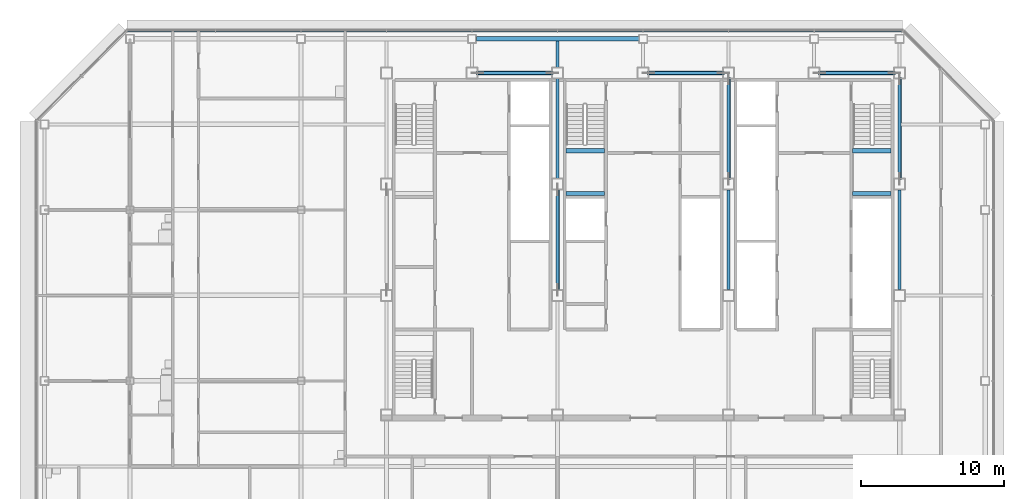
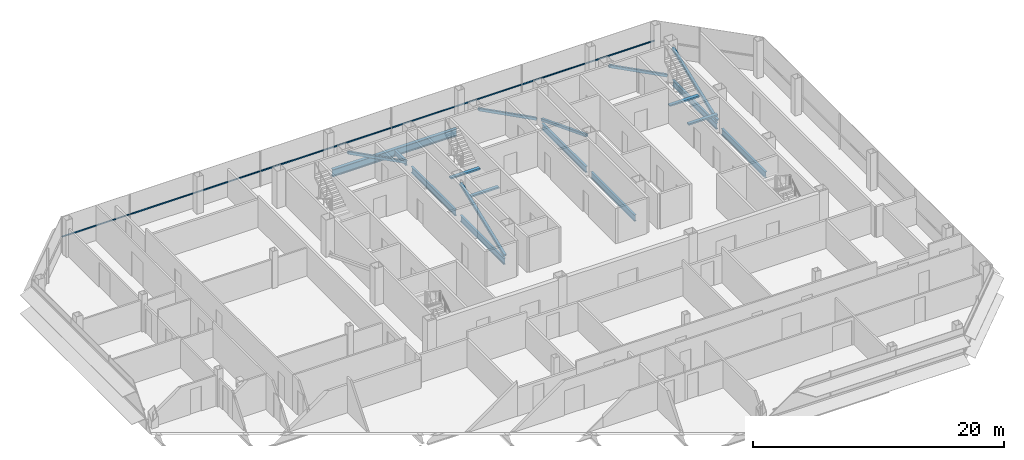
# One storey, part 14 of 27: 12 beams, 7 members, 1 element without a shape of its own.
"""IFC4 building model written with IfcOpenShell, lengths in metres."""

from ifc_helpers import new_model, si_unit, direction, frame, origin, origin_2d, place, context, subcontext, project, spatial, rectangle, hollow_rectangle, i_section, extrude, material, material_profile, profile_set, type_object, element, aggregate, save


model = new_model("IFC4")

# Units and contexts
model_context = context("Model", 3, precision=1e-05, world=origin(), true_north=direction((0.0, 1.0)))
body_context = subcontext(model_context, "Body", "Model", "MODEL_VIEW")
ifc_project = project(units=[si_unit("LENGTHUNIT", "METRE"), si_unit("AREAUNIT", "SQUARE_METRE"), si_unit("VOLUMEUNIT", "CUBIC_METRE"), si_unit("PLANEANGLEUNIT", "RADIAN"), si_unit("MASSUNIT", "GRAM", prefix="KILO")], contexts=[model_context])

# Site, building, storey
site_placement = place(None, origin())
site = spatial("IfcSite", under=ifc_project, at=site_placement, CompositionType="ELEMENT")
building_placement = place(site_placement, origin())
building = spatial("IfcBuilding", under=site, at=building_placement, Name="Sorahane Residences", CompositionType="ELEMENT")
storey_placement = place(building_placement, frame((0.0, 0.0, 294.39990234375)))
storey = spatial("IfcBuildingStorey", under=building, at=storey_placement, Name="L69", CompositionType="ELEMENT", Elevation=294.39990234375)

# Members
ifc_material_1 = material(Name="Steel Q355B", Category="steel")
ifc_material_profile_1 = material_profile(ifc_material_1, hollow_rectangle(XDim=0.25, YDim=0.25, WallThickness=0.013916015625, InnerFilletRadius=0.007080078125, OuterFilletRadius=0.02099609375, at=origin_2d()), Name="RHS 250x250x14")
ifc_profile_set_1 = profile_set([ifc_material_profile_1], Name="Steel Q355B")
member_type_1 = type_object("IfcMemberType", Name="Core brace RHS 250x250x14 Q355B", PredefinedType="BRACE", material=ifc_profile_set_1)
for number, where, z_axis, x_axis, name in (
    (1, (17.634765625, 45.60009765625, 0.10693359375), (-0.886099769192, 0.0, 0.46349455125), (0.0, -1.0, 0.0), "Core brace L69 y45.6-2"),
    (2, (29.634765625, 45.60009765625, 0.10693359375), (-0.886099769192, 0.0, 0.46349455125), (0.0, -1.0, 0.0), "Core brace L69 y45.6-4"),
    (3, (41.634765625, 45.60009765625, 0.10693359375), (-0.886099769192, 0.0, 0.46349455125), (0.0, -1.0, 0.0), "Core brace L69 y45.6-6"),
):
    element("IfcMember", number, at=place(storey_placement, frame(where, z_axis=z_axis, x_axis=x_axis)), inside=storey, type_object=member_type_1, Name=name, PredefinedType="BRACE", context=body_context, shape_type="SweptSolid", body=[
        extrude(hollow_rectangle(XDim=0.25, YDim=0.25, WallThickness=0.013916015625, InnerFilletRadius=0.007080078125, OuterFilletRadius=0.02099609375, at=origin_2d()), origin(), (0.0, 0.0, 1.0), 5.94677734375),
    ])
member_1_placement = place(storey_placement, frame((42.0, 38.1728515625, 0.114501953125), z_axis=(0.0, 0.932097872445, 0.362206510411), x_axis=(-1.0, 0.0, 0.0)))
element("IfcMember", 4, at=member_1_placement, inside=storey, type_object=member_type_1, Name="Core brace L69 x42-3", PredefinedType="BRACE", context=body_context, shape_type="SweptSolid", body=[
    extrude(hollow_rectangle(XDim=0.25, YDim=0.25, WallThickness=0.013916015625, InnerFilletRadius=0.007080078125, OuterFilletRadius=0.02099609375, at=origin_2d()), origin(), (0.0, 0.0, 1.0), 7.568115234375),
])
member_2_placement = place(storey_placement, frame((18.0, 30.372802734375, 0.114501953125), z_axis=(0.0, 0.932102104456, 0.362195619617), x_axis=(-1.0, 0.0, 0.0)))
element("IfcMember", 5, at=member_2_placement, inside=storey, type_object=member_type_1, Name="Core brace L69 x18-1", PredefinedType="BRACE", context=body_context, shape_type="SweptSolid", body=[
    extrude(hollow_rectangle(XDim=0.25, YDim=0.25, WallThickness=0.013916015625, InnerFilletRadius=0.007080078125, OuterFilletRadius=0.02099609375, at=origin_2d()), origin(), (0.0, 0.0, 1.0), 7.568359375),
])
member_3_placement = place(storey_placement, frame((30.0, 45.22705078125, 0.114501953125), z_axis=(0.0, -0.932097872445, 0.362206510411), x_axis=(1.0, 0.0, 0.0)))
element("IfcMember", 6, at=member_3_placement, inside=storey, type_object=member_type_1, Name="Core brace L69 x30-2", PredefinedType="BRACE", context=body_context, shape_type="SweptSolid", body=[
    extrude(hollow_rectangle(XDim=0.25, YDim=0.25, WallThickness=0.013916015625, InnerFilletRadius=0.007080078125, OuterFilletRadius=0.02099609375, at=origin_2d()), origin(), (0.0, 0.0, 1.0), 7.568115234375),
])

# Curtain wall, member
ifc_material_2 = material(Name="Dark low-e glass and black anodised aluminium", Category="aluminium")
curtain_wall_type = type_object("IfcCurtainWallType", Name="Curtain wall CW-1 Typical unitised wall", PredefinedType="NOTDEFINED", material=ifc_material_2)
curtain_wall_placement = place(storey_placement, origin())
curtain_wall = element("IfcCurtainWall", 7, at=curtain_wall_placement, inside=storey, type_object=curtain_wall_type, Name="CW-1 curtain wall L69 N1", PredefinedType="NOTDEFINED")
ifc_material_3 = material(Name="Black anodised aluminium", Category="aluminium")
ifc_material_profile_2 = material_profile(ifc_material_3, rectangle(XDim=0.10009765625, YDim=0.06005859375, at=origin_2d()), Name="Curtain wall transom CW-1 black anodised aluminium 60x100")
ifc_profile_set_2 = profile_set([ifc_material_profile_2], Name="Black anodised aluminium")
member_type_2 = type_object("IfcMemberType", Name="Curtain wall transom CW-1 black anodised aluminium 60x100", PredefinedType="USERDEFINED", material=ifc_profile_set_2)
member_4_placement = place(storey_placement, frame((42.198486328125, 48.530029296875, 1.5), z_axis=(-1.0, 0.0, 0.0), x_axis=(0.0, -1.0, 0.0)))
member_4 = element("IfcMember", 8, at=member_4_placement, type_object=member_type_2, Name="CW-1 transom L69 N1", ObjectType="TRANSOM", PredefinedType="USERDEFINED", context=body_context, shape_type="SweptSolid", body=[
    extrude(rectangle(XDim=0.10009765625, YDim=0.06005859375, at=origin_2d()), origin(), (0.0, 0.0, 1.0), 54.39697265625),
])
aggregate(curtain_wall, [member_4])

# Beams
ifc_material_4 = material(Name="Concrete C40", Category="concrete")
ifc_material_profile_3 = material_profile(ifc_material_4, rectangle(XDim=0.300048828125, YDim=0.139892578125, at=origin_2d()), Name="300x140")
ifc_profile_set_3 = profile_set([ifc_material_profile_3], Name="Concrete C40")
beam_type_1 = type_object("IfcBeamType", Name="RC landing beam 300 x 140 Concrete C40", PredefinedType="BEAM", material=ifc_profile_set_3)
for number, where, z_axis, x_axis, name in (
    (9, (38.699951171875, 37.14990234375, 1.530029296875), (1.0, 0.0, 0.0), (0.0, 1.0, 0.0), "Landing beam"),
    (10, (38.699951171875, 40.14990234375, 1.530029296875), (1.0, 0.0, 0.0), (0.0, 1.0, 0.0), "Landing beam"),
    (11, (18.60009765625, 37.14990234375, 1.530029296875), (1.0, 0.0, 0.0), (0.0, 1.0, 0.0), "Landing beam"),
    (12, (18.60009765625, 40.14990234375, 1.530029296875), (1.0, 0.0, 0.0), (0.0, 1.0, 0.0), "Landing beam"),
):
    element("IfcBeam", number, at=place(storey_placement, frame(where, z_axis=z_axis, x_axis=x_axis)), inside=storey, type_object=beam_type_1, Name=name, PredefinedType="BEAM", context=body_context, shape_type="SweptSolid", body=[
        extrude(rectangle(XDim=0.300048828125, YDim=0.139892578125, at=origin_2d()), origin(), (0.0, 0.0, 1.0), 2.699951171875),
    ])
ifc_material_5 = material(Name="Steel Q355B", Category="steel")
ifc_material_profile_4 = material_profile(ifc_material_5, i_section(OverallWidth=0.199951171875, OverallDepth=0.449951171875, WebThickness=0.009033203125, FlangeThickness=0.013916015625, FilletRadius=0.02001953125, at=origin_2d()), Name="HN 450x200x9x14")
ifc_profile_set_4 = profile_set([ifc_material_profile_4], Name="Steel Q355B")
beam_type_2 = type_object("IfcBeamType", Name="Steel floor beam HN 450x200x9x14 Q355B", PredefinedType="BEAM", material=ifc_profile_set_4)
beam_1_placement = place(storey_placement, frame((18.0, 46.0, -0.40478515625), z_axis=(0.0, 1.0, 0.0), x_axis=(-1.0, 0.0, 0.0)))
element("IfcBeam", 13, at=beam_1_placement, inside=storey, type_object=beam_type_2, Name="Beam L69 045", PredefinedType="BEAM", context=body_context, shape_type="SweptSolid", body=[
    extrude(i_section(OverallWidth=0.199951171875, OverallDepth=0.449951171875, WebThickness=0.009033203125, FlangeThickness=0.013916015625, FilletRadius=0.02001953125, at=origin_2d()), origin(), (0.0, 0.0, 1.0), 1.85009765625),
])
ifc_material_6 = material(Name="Steel Q355B", Category="steel")
ifc_material_profile_5 = material_profile(ifc_material_6, i_section(OverallWidth=0.199951171875, OverallDepth=0.60009765625, WebThickness=0.010986328125, FlangeThickness=0.01708984375, FilletRadius=0.02392578125, at=origin_2d()), Name="HN 600x200x11x17")
ifc_profile_set_5 = profile_set([ifc_material_profile_5], Name="Steel Q355B")
beam_type_3 = type_object("IfcBeamType", Name="Steel floor beam HN 600x200x11x17 Q355B", PredefinedType="BEAM", material=ifc_profile_set_5)
for number, where, z_axis, x_axis, name in (
    (14, (18.0, 30.39990234375, -0.47998046875), (0.0, 1.0, 0.0), (-1.0, 0.0, 0.0), "Beam L69 043"),
    (15, (18.0, 38.199951171875, -0.47998046875), (0.0, 1.0, 0.0), (-1.0, 0.0, 0.0), "Beam L69 044"),
    (16, (30.0, 30.39990234375, -0.47998046875), (0.0, 1.0, 0.0), (-1.0, 0.0, 0.0), "Beam L69 051"),
    (17, (30.0, 38.199951171875, -0.47998046875), (0.0, 1.0, 0.0), (-1.0, 0.0, 0.0), "Beam L69 052"),
    (18, (42.0, 30.39990234375, -0.47998046875), (0.0, 1.0, 0.0), (-1.0, 0.0, 0.0), "Beam L69 059"),
    (19, (42.0, 38.199951171875, -0.47998046875), (0.0, 1.0, 0.0), (-1.0, 0.0, 0.0), "Beam L69 060"),
):
    element("IfcBeam", number, at=place(storey_placement, frame(where, z_axis=z_axis, x_axis=x_axis)), inside=storey, type_object=beam_type_3, Name=name, PredefinedType="BEAM", context=body_context, shape_type="SweptSolid", body=[
        extrude(i_section(OverallWidth=0.199951171875, OverallDepth=0.60009765625, WebThickness=0.010986328125, FlangeThickness=0.01708984375, FilletRadius=0.02392578125, at=origin_2d()), origin(), (0.0, 0.0, 1.0), 7.0),
    ])
ifc_material_7 = material(Name="Steel Q355B", Category="steel")
ifc_material_profile_6 = material_profile(ifc_material_7, i_section(OverallWidth=0.300048828125, OverallDepth=0.699951171875, WebThickness=0.012939453125, FlangeThickness=0.02392578125, FilletRadius=0.028076171875, at=origin_2d()), Name="HN 700x300x13x24")
ifc_profile_set_6 = profile_set([ifc_material_profile_6], Name="Steel Q355B")
beam_type_4 = type_object("IfcBeamType", Name="Steel floor beam HN 700x300x13x24 Q355B", PredefinedType="BEAM", material=ifc_profile_set_6)
beam_2_placement = place(storey_placement, frame((12.300048828125, 48.0, -0.52978515625), z_axis=(1.0, 0.0, 0.0), x_axis=(0.0, 1.0, 0.0)))
element("IfcBeam", 20, at=beam_2_placement, inside=storey, type_object=beam_type_4, Name="Beam L69 017", PredefinedType="BEAM", context=body_context, shape_type="SweptSolid", body=[
    extrude(i_section(OverallWidth=0.300048828125, OverallDepth=0.699951171875, WebThickness=0.012939453125, FlangeThickness=0.02392578125, FilletRadius=0.028076171875, at=origin_2d()), origin(), (0.0, 0.0, 1.0), 11.39990234375),
])

save(model, "model.ifc")
